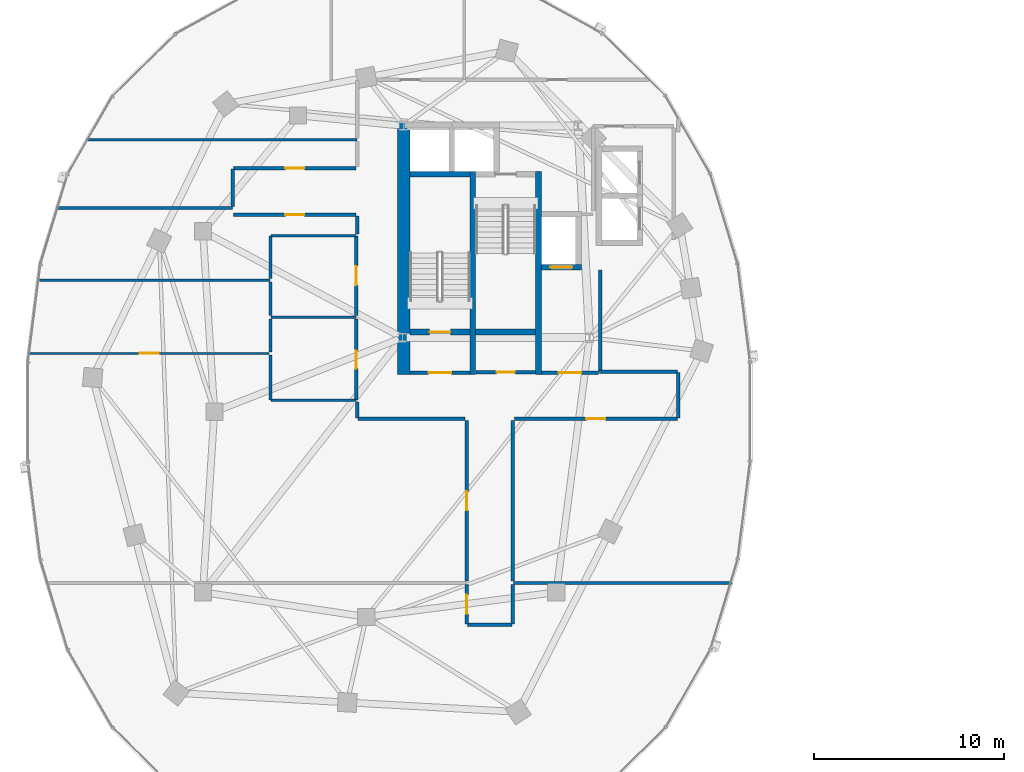
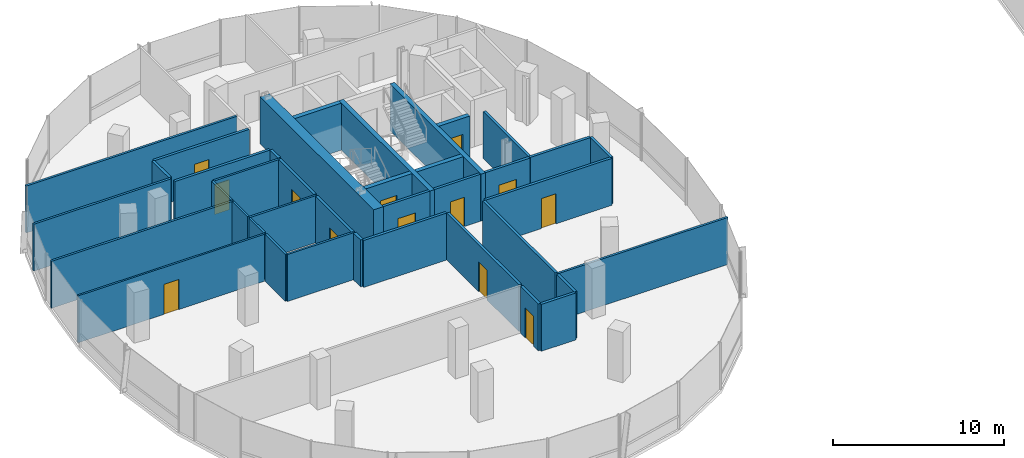
# One storey, part 12 of 22: 39 walls, 13 doors, 13 openings.
"""IFC4 building model written with IfcOpenShell, lengths in metres."""

import ifcopenshell
import ifcopenshell.guid

model = None  # the IFC model being written
_history = None  # IfcOwnerHistory: only IFC2X3 demands one
_inside = {}  # id of a spatial element -> (the spatial element, [elements in it])
_under = {}  # id of a project, library or spatial element -> (it, [spatial elements below it])
_declared = {}  # id of a project -> (the project, [libraries it declares])
_typed = {}  # id of a type object -> (the type object, [elements of that type])
_made_of = {}  # id of a material, layer set ... -> (it, [elements and type objects made of it])


def new_model(schema):
    """Start an empty IFC model of exactly this schema.

    Asked for "IFC4X3", IfcOpenShell would pick the latest addendum, in which some entities
    have other attributes; the version numbers below select the first issue.
    IFC2X3 requires an IfcOwnerHistory on every rooted entity: one is made here for all.
    """
    global model, _history
    if schema == "IFC4X3":
        model = ifcopenshell.file(schema_version=(4, 3, 0, 0))
    else:
        model = ifcopenshell.file(schema=schema)
    _inside.clear()
    _under.clear()
    _declared.clear()
    _typed.clear()
    _made_of.clear()
    _history = None
    if model.schema == "IFC2X3":
        org = make("IfcOrganization", Name="unknown")
        user = make(
            "IfcPersonAndOrganization",
            ThePerson=make("IfcPerson", FamilyName="unknown"),
            TheOrganization=org,
        )
        app = make(
            "IfcApplication",
            ApplicationDeveloper=org,
            Version="unknown",
            ApplicationFullName="unknown",
            ApplicationIdentifier="unknown",
        )
        _history = make(
            "IfcOwnerHistory",
            OwningUser=user,
            OwningApplication=app,
            ChangeAction="ADDED",
            CreationDate=0,
        )
    return model


def make(cls, **values):
    """One entity of the class cls with the attributes given. An attribute that is None is left unset."""
    return model.create_entity(
        cls, **{name: value for name, value in values.items() if value is not None}
    )


def rooted(cls, **values):
    """An entity with a GlobalId (a new one), such as an element, a storey or a relation."""
    return make(cls, GlobalId=ifcopenshell.guid.new(), OwnerHistory=_history, **values)


def si_unit(unit_type, name, prefix=None):
    """IfcSIUnit, for example si_unit("LENGTHUNIT", "METRE", prefix="MILLI")."""
    return make("IfcSIUnit", UnitType=unit_type, Prefix=prefix, Name=name)


def assignment(units):
    """IfcUnitAssignment: the units of a project."""
    return None if units is None else make("IfcUnitAssignment", Units=units)


def point(xyz):
    """IfcCartesianPoint."""
    return None if xyz is None else make("IfcCartesianPoint", Coordinates=xyz)


def direction(xyz):
    """IfcDirection."""
    return None if xyz is None else make("IfcDirection", DirectionRatios=xyz)


def frame(location, z_axis=None, x_axis=None):
    """IfcAxis2Placement3D, a coordinate frame: its origin and axes. An axis left out is left unset."""
    return make(
        "IfcAxis2Placement3D",
        Location=point(location),
        Axis=direction(z_axis),
        RefDirection=direction(x_axis),
    )


def frame_2d(location, x_axis=None):
    """IfcAxis2Placement2D, a coordinate frame in the plane: its origin and x axis."""
    return make(
        "IfcAxis2Placement2D", Location=point(location), RefDirection=direction(x_axis)
    )


def origin():
    """The frame at (0, 0, 0) with its axes left unset."""
    return frame((0.0, 0.0, 0.0))


def place(relative_to, where):
    """IfcLocalPlacement: puts the frame where relative to a parent placement (None: the world)."""
    return make(
        "IfcLocalPlacement", PlacementRelTo=relative_to, RelativePlacement=where
    )


def context(
    kind, dimensions, precision=None, world=None, true_north=None, identifier=None
):
    """IfcGeometricRepresentationContext, for example the 3D "Model" context."""
    return make(
        "IfcGeometricRepresentationContext",
        ContextIdentifier=identifier,
        ContextType=kind,
        CoordinateSpaceDimension=dimensions,
        Precision=precision,
        WorldCoordinateSystem=world,
        TrueNorth=true_north,
    )


def subcontext(parent, identifier, kind, view, scale=None):
    """IfcGeometricRepresentationSubContext, for example "Body" below "Model"."""
    return make(
        "IfcGeometricRepresentationSubContext",
        ContextIdentifier=identifier,
        ContextType=kind,
        ParentContext=parent,
        TargetScale=scale,
        TargetView=view,
    )


def project(units=None, contexts=None):
    """IfcProject with its units and contexts."""
    return rooted(
        "IfcProject",
        Name="project",
        RepresentationContexts=contexts,
        UnitsInContext=assignment(units),
    )


def spatial(cls, under=None, at=None, **own):
    """A site, building, storey or space (cls), placed at a placement, below another one or the project."""
    s = rooted(cls, ObjectPlacement=at, **own)
    if under is not None:
        _under.setdefault(under.id(), (under, []))[1].append(s)
    return s


def profile(cls, at=None, kind="AREA", **sizes):
    """A parametric profile (cls). Its sizes go by their IFC names, for example OverallWidth=200.0."""
    return make(cls, ProfileType=kind, Position=at, **sizes)


def rectangle(**sizes):
    """IfcRectangleProfileDef."""
    return profile("IfcRectangleProfileDef", **sizes)


def extrude(swept, where, along, depth):
    """IfcExtrudedAreaSolid: the profile swept, set in the frame where, extruded along a direction by depth."""
    return make(
        "IfcExtrudedAreaSolid",
        SweptArea=swept,
        Position=where,
        ExtrudedDirection=direction(along),
        Depth=depth,
    )


def shape(context_of_items, identifier, shape_type, items):
    """IfcShapeRepresentation: the items that make up one representation, for example the "Body"."""
    return make(
        "IfcShapeRepresentation",
        ContextOfItems=context_of_items,
        RepresentationIdentifier=identifier,
        RepresentationType=shape_type,
        Items=items,
    )


def material(Name=None, Category=None):
    """IfcMaterial."""
    return make("IfcMaterial", Name=Name, Category=Category)


def layer(
    of_material, thickness, ventilated=None, Name=None, Category=None, Priority=None
):
    """IfcMaterialLayer: one layer of a wall or slab, of a material (None: an air gap)."""
    return make(
        "IfcMaterialLayer",
        Material=of_material,
        LayerThickness=thickness,
        IsVentilated=ventilated,
        Name=Name,
        Category=Category,
        Priority=Priority,
    )


def layer_set(layers, Name=None):
    """IfcMaterialLayerSet."""
    return make("IfcMaterialLayerSet", MaterialLayers=layers, LayerSetName=Name)


def made_of(thing, what):
    """Note that an element or type object is made of a material, layer set ...; save() writes the relation."""
    if what is not None:
        _made_of.setdefault(what.id(), (what, []))[1].append(thing)
    return thing


def type_object(cls, material=None, **own):
    """A type object (cls), such as IfcWallType, which elements share."""
    return made_of(rooted(cls, **own), material)


def element(
    cls,
    number,
    at=None,
    inside=None,
    cuts=None,
    type_object=None,
    material=None,
    context=None,
    identifier="Body",
    shape_type=None,
    held_by="IfcProductDefinitionShape",
    body=None,
    shapes=None,
    **own,
):
    """One element of the class cls, such as IfcWall. Its Tag is "e" and its number.

    at: its placement. inside: the storey or other place that contains it. cuts: it is an
    opening in that element (IfcRelVoidsElement). A single representation is given by context,
    identifier, shape_type and body (its items); several are given by shapes. held_by: the class
    of the entity that holds the representations. save() writes the other relations.
    """
    e = rooted(cls, Tag="e%d" % number, ObjectPlacement=at, **own)
    if body is not None:
        shapes = [shape(context, identifier, shape_type, body)]
    if shapes is not None:
        e.Representation = make(held_by, Representations=shapes)
    if inside is not None:
        _inside.setdefault(inside.id(), (inside, []))[1].append(e)
    if cuts is not None:
        rooted(
            "IfcRelVoidsElement", RelatingBuildingElement=cuts, RelatedOpeningElement=e
        )
    if type_object is not None:
        _typed.setdefault(type_object.id(), (type_object, []))[1].append(e)
    return made_of(e, material)


def fill(opening, filler):
    """IfcRelFillsElement: the door or window that sits in an opening."""
    return rooted(
        "IfcRelFillsElement",
        RelatingOpeningElement=opening,
        RelatedBuildingElement=filler,
    )


def aggregate(whole, parts):
    """IfcRelAggregates: a whole, such as a stair, and the parts it consists of."""
    return rooted("IfcRelAggregates", RelatingObject=whole, RelatedObjects=parts)


def save(model, path):
    """Write the relations noted so far, then the file.

    IfcRelAggregates (storeys below a building ...), IfcRelContainedInSpatialStructure (elements
    in a storey), IfcRelDefinesByType, IfcRelAssociatesMaterial and IfcRelDeclares: one each for
    every whole, place, type object, material and project.
    """
    for whole, parts in _under.values():
        aggregate(whole, parts)
    for where, things in _inside.values():
        rooted(
            "IfcRelContainedInSpatialStructure",
            RelatedElements=things,
            RelatingStructure=where,
        )
    for kind, things in _typed.values():
        rooted("IfcRelDefinesByType", RelatedObjects=things, RelatingType=kind)
    for what, things in _made_of.values():
        rooted("IfcRelAssociatesMaterial", RelatedObjects=things, RelatingMaterial=what)
    for by, libraries in _declared.values():
        rooted("IfcRelDeclares", RelatingContext=by, RelatedDefinitions=libraries)
    model.write(path)


model = new_model("IFC4")

# Units and contexts
model_context = context("Model", 3, precision=1e-05, world=origin(), true_north=direction((0.0, 1.0)))
body_context = subcontext(model_context, "Body", "Model", "MODEL_VIEW")
ifc_project = project(units=[si_unit("LENGTHUNIT", "METRE"), si_unit("AREAUNIT", "SQUARE_METRE"), si_unit("VOLUMEUNIT", "CUBIC_METRE"), si_unit("PLANEANGLEUNIT", "RADIAN"), si_unit("MASSUNIT", "GRAM", prefix="KILO"), si_unit("THERMODYNAMICTEMPERATUREUNIT", "KELVIN"), si_unit("POWERUNIT", "WATT")], contexts=[model_context])

# Site, building, storey
site_placement = place(None, origin())
site = spatial("IfcSite", under=ifc_project, at=site_placement, CompositionType="ELEMENT")
building_placement = place(site_placement, origin())
building = spatial("IfcBuilding", under=site, at=building_placement, Name="Cundina Bronze Exchange", CompositionType="ELEMENT")
storey_placement = place(building_placement, frame((0.0, 0.0, 151.199951171875)))
storey = spatial("IfcBuildingStorey", under=building, at=storey_placement, Name="L39", CompositionType="ELEMENT", Elevation=151.199951171875)

# Wall
ifc_material_1 = material(Name="Gypsum Fireboard Partition EI120")
ifc_layer_1 = layer(ifc_material_1, 0.179931640625, Name="Gypsum Fireboard Partition EI120")
ifc_layer_set_1 = layer_set([ifc_layer_1], Name="Gypsum Fireboard Partition EI120")
wall_type_1 = type_object("IfcWallType", Name="WL-COR-180", PredefinedType="PARTITIONING", material=ifc_layer_set_1)
wall_1_placement = place(storey_placement, frame((-20.889892578125, 2.14990234375, 0.0), z_axis=(0.0, 0.0, 1.0), x_axis=(0.0, 1.0, 0.0)))
element("IfcWall", 1, at=wall_1_placement, inside=storey, type_object=wall_type_1, Name="L39 W Firefighting Lobby Side Wall", PredefinedType="PARTITIONING", context=body_context, shape_type="SweptSolid", body=[
    extrude(rectangle(XDim=5.300048828125, YDim=0.179931640625, at=frame_2d((2.64990234375, 0.0))), origin(), (0.0, 0.0, 1.0), 3.360107421875),
])

# Wall, opening, door
wall_2_placement = place(storey_placement, frame((-23.97998046875, 2.06005859375, 0.0), z_axis=(0.0, 0.0, 1.0), x_axis=(1.0, 0.0, 0.0)))
wall_2 = element("IfcWall", 2, at=wall_2_placement, inside=storey, type_object=wall_type_1, Name="L39 W Firefighting Lobby Exit Wall", PredefinedType="PARTITIONING", context=body_context, shape_type="SweptSolid", body=[
    extrude(rectangle(XDim=3.0, YDim=0.179931640625, at=frame_2d((1.5, 0.0))), origin(), (0.0, 0.0, 1.0), 3.360107421875),
])
opening_1_placement = place(wall_2_placement, frame((0.89990234375, 0.0, 0.0)))
opening_1 = element("IfcOpeningElement", 3, at=opening_1_placement, cuts=wall_2, Name="Opening DF-01", PredefinedType="OPENING", context=body_context, shape_type="SweptSolid", body=[
    extrude(rectangle(XDim=1.199951171875, YDim=2.14990234375, at=frame_2d((0.60009765625, 1.074951171875))), frame((0.0, 0.099853515625, 0.0), z_axis=(0.0, -1.0, 0.0), x_axis=(1.0, 0.0, 0.0)), (0.0, 0.0, 1.0), 0.199951171875),
])
ifc_material_2 = material(Name="Steel ASTM A36 Painted", Category="steel")
door_type_1 = type_object("IfcDoorType", Name="DR-FFL-1200", OperationType="NOTDEFINED", PredefinedType="DOOR", material=ifc_material_2)
door_1_placement = place(opening_1_placement, origin())
door_1 = element("IfcDoor", 4, at=door_1_placement, inside=storey, type_object=door_type_1, Name="L39 W Firefighting Lobby Door", OperationType="SINGLE_SWING_RIGHT", OverallHeight=2.14990234375, OverallWidth=1.199951171875, PredefinedType="DOOR", context=body_context, shape_type="SweptSolid", body=[
    extrude(rectangle(XDim=1.199951171875, YDim=2.14990234375, at=frame_2d((0.60009765625, 1.074951171875))), frame((0.0, 0.02490234375, 0.0), z_axis=(0.0, -1.0, 0.0), x_axis=(1.0, 0.0, 0.0)), (0.0, 0.0, 1.0), 0.050048828125),
])
fill(opening_1, door_1)

wall_3_placement = place(storey_placement, frame((-30.89990234375, 2.06005859375, 0.0), z_axis=(0.0, 0.0, 1.0), x_axis=(1.0, 0.0, 0.0)))
wall_3 = element("IfcWall", 5, at=wall_3_placement, inside=storey, type_object=wall_type_1, Name="L39 W Stair Vestibule Exit Wall", PredefinedType="PARTITIONING", context=body_context, shape_type="SweptSolid", body=[
    extrude(rectangle(XDim=3.159912109375, YDim=0.179931640625, at=frame_2d((1.580078125, 0.0))), origin(), (0.0, 0.0, 1.0), 3.360107421875),
])
opening_2_placement = place(wall_3_placement, frame((0.97998046875, 0.0, 0.0)))
opening_2 = element("IfcOpeningElement", 6, at=opening_2_placement, cuts=wall_3, Name="Opening DF-01", PredefinedType="OPENING", context=body_context, shape_type="SweptSolid", body=[
    extrude(rectangle(XDim=1.199951171875, YDim=2.14990234375, at=frame_2d((0.60009765625, 1.074951171875))), frame((0.0, 0.099853515625, 0.0), z_axis=(0.0, -1.0, 0.0), x_axis=(1.0, 0.0, 0.0)), (0.0, 0.0, 1.0), 0.199951171875),
])
door_2_placement = place(opening_2_placement, origin())
door_2 = element("IfcDoor", 7, at=door_2_placement, inside=storey, type_object=door_type_1, Name="L39 W Stair Vestibule Door", OperationType="SINGLE_SWING_LEFT", OverallHeight=2.14990234375, OverallWidth=1.199951171875, PredefinedType="DOOR", context=body_context, shape_type="SweptSolid", body=[
    extrude(rectangle(XDim=1.199951171875, YDim=2.14990234375, at=frame_2d((0.60009765625, 1.074951171875))), frame((0.0, 0.02490234375, 0.0), z_axis=(0.0, -1.0, 0.0), x_axis=(1.0, 0.0, 0.0)), (0.0, 0.0, 1.0), 0.050048828125),
])
fill(opening_2, door_2)

wall_4_placement = place(storey_placement, frame((-27.419921875, 2.070068359375, 0.0), z_axis=(0.0, 0.0, 1.0), x_axis=(1.0, 0.0, 0.0)))
wall_4 = element("IfcWall", 8, at=wall_4_placement, inside=storey, type_object=wall_type_1, Name="L39 Interior Partition 006", PredefinedType="PARTITIONING", context=body_context, shape_type="SweptSolid", body=[
    extrude(rectangle(XDim=3.119873046875, YDim=0.179931640625, at=frame_2d((1.56005859375, 0.0))), origin(), (0.0, 0.0, 1.0), 3.360107421875),
])
opening_3_placement = place(wall_4_placement, frame((1.0849609375, 0.0, 0.0)))
opening_3 = element("IfcOpeningElement", 9, at=opening_3_placement, cuts=wall_4, Name="Opening DW-01", PredefinedType="OPENING", context=body_context, shape_type="SweptSolid", body=[
    extrude(rectangle(XDim=0.949951171875, YDim=2.10009765625, at=frame_2d((0.47509765625, 1.050048828125))), frame((0.0, 0.099853515625, 0.0), z_axis=(0.0, -1.0, 0.0), x_axis=(1.0, 0.0, 0.0)), (0.0, 0.0, 1.0), 0.199951171875),
])
ifc_material_3 = material(Name="Solid Andean Oak Timber Grade A", Category="wood")
door_type_2 = type_object("IfcDoorType", Name="DR-WC-950", OperationType="NOTDEFINED", PredefinedType="DOOR", material=ifc_material_3)
door_3_placement = place(opening_3_placement, origin())
door_3 = element("IfcDoor", 10, at=door_3_placement, inside=storey, type_object=door_type_2, Name="L39 Interior Door 006", OperationType="SINGLE_SWING_RIGHT", OverallHeight=2.10009765625, OverallWidth=0.949951171875, PredefinedType="DOOR", context=body_context, shape_type="SweptSolid", body=[
    extrude(rectangle(XDim=0.949951171875, YDim=2.10009765625, at=frame_2d((0.47509765625, 1.050048828125))), frame((0.0, 0.02490234375, 0.0), z_axis=(0.0, -1.0, 0.0), x_axis=(1.0, 0.0, 0.0)), (0.0, 0.0, 1.0), 0.050048828125),
])
fill(opening_3, door_3)

wall_5_placement = place(storey_placement, frame((-33.719970703125, 0.6201171875, 0.0), z_axis=(0.0, 0.0, 1.0), x_axis=(0.0, 1.0, 0.0)))
wall_5 = element("IfcWall", 11, at=wall_5_placement, inside=storey, type_object=wall_type_1, Name="L39 Interior Partition 014", PredefinedType="PARTITIONING", context=body_context, shape_type="SweptSolid", body=[
    extrude(rectangle(XDim=4.259765625, YDim=0.179931640625, at=frame_2d((2.1298828125, 0.0))), origin(), (0.0, 0.0, 1.0), 3.360107421875),
])
opening_4_placement = place(wall_5_placement, frame((1.655029296875, 0.0, 0.0)))
opening_4 = element("IfcOpeningElement", 12, at=opening_4_placement, cuts=wall_5, Name="Opening DW-01", PredefinedType="OPENING", context=body_context, shape_type="SweptSolid", body=[
    extrude(rectangle(XDim=0.949951171875, YDim=2.10009765625, at=frame_2d((0.47509765625, 1.050048828125))), frame((0.0, 0.099853515625, 0.0), z_axis=(0.0, -1.0, 0.0), x_axis=(1.0, 0.0, 0.0)), (0.0, 0.0, 1.0), 0.199951171875),
])
door_4_placement = place(opening_4_placement, origin())
door_4 = element("IfcDoor", 13, at=door_4_placement, inside=storey, type_object=door_type_2, Name="L39 Interior Door 014", OperationType="SINGLE_SWING_RIGHT", OverallHeight=2.10009765625, OverallWidth=0.949951171875, PredefinedType="DOOR", context=body_context, shape_type="SweptSolid", body=[
    extrude(rectangle(XDim=0.949951171875, YDim=2.10009765625, at=frame_2d((0.47509765625, 1.050048828125))), frame((0.0, 0.02490234375, 0.0), z_axis=(0.0, -1.0, 0.0), x_axis=(1.0, 0.0, 0.0)), (0.0, 0.0, 1.0), 0.050048828125),
])
fill(opening_4, door_4)

wall_6_placement = place(storey_placement, frame((-33.719970703125, 5.080078125, 0.0), z_axis=(0.0, 0.0, 1.0), x_axis=(0.0, 1.0, 0.0)))
wall_6 = element("IfcWall", 14, at=wall_6_placement, inside=storey, type_object=wall_type_1, Name="L39 Interior Partition 015", PredefinedType="PARTITIONING", context=body_context, shape_type="SweptSolid", body=[
    extrude(rectangle(XDim=4.159912109375, YDim=0.179931640625, at=frame_2d((2.080078125, 0.0))), origin(), (0.0, 0.0, 1.0), 3.360107421875),
])
opening_5_placement = place(wall_6_placement, frame((1.580078125, 0.0, 0.0)))
opening_5 = element("IfcOpeningElement", 15, at=opening_5_placement, cuts=wall_6, Name="Opening DO-01", PredefinedType="OPENING", context=body_context, shape_type="SweptSolid", body=[
    extrude(rectangle(XDim=1.0, YDim=2.14990234375, at=frame_2d((0.5, 1.074951171875))), frame((0.0, 0.099853515625, 0.0), z_axis=(0.0, -1.0, 0.0), x_axis=(1.0, 0.0, 0.0)), (0.0, 0.0, 1.0), 0.199951171875),
])
door_type_3 = type_object("IfcDoorType", Name="DR-OFF-1000", OperationType="NOTDEFINED", PredefinedType="DOOR", material=ifc_material_3)
door_5_placement = place(opening_5_placement, origin())
door_5 = element("IfcDoor", 16, at=door_5_placement, inside=storey, type_object=door_type_3, Name="L39 Interior Door 015", OperationType="SINGLE_SWING_RIGHT", OverallHeight=2.14990234375, OverallWidth=1.0, PredefinedType="DOOR", context=body_context, shape_type="SweptSolid", body=[
    extrude(rectangle(XDim=1.0, YDim=2.14990234375, at=frame_2d((0.5, 1.074951171875))), frame((0.0, 0.02490234375, 0.0), z_axis=(0.0, -1.0, 0.0), x_axis=(1.0, 0.0, 0.0)), (0.0, 0.0, 1.0), 0.050048828125),
])
fill(opening_5, door_5)

# Wall
wall_7_placement = place(storey_placement, frame((-27.87841796875, -11.219970703125, 0.0), z_axis=(0.0, 0.0, 1.0), x_axis=(1.0, 0.0, 0.0)))
element("IfcWall", 17, at=wall_7_placement, inside=storey, type_object=wall_type_1, Name="L39 Interior Partition 023", PredefinedType="PARTITIONING", context=body_context, shape_type="SweptSolid", body=[
    extrude(rectangle(XDim=2.35693359375, YDim=0.179931640625, at=frame_2d((1.178466796875, 0.0))), origin(), (0.0, 0.0, 1.0), 3.360107421875),
])

# Wall, opening, door
wall_8_placement = place(storey_placement, frame((-27.919921875, -9.10009765625, 0.0), z_axis=(0.0, 0.0, 1.0), x_axis=(0.0, -1.0, 0.0)))
wall_8 = element("IfcWall", 18, at=wall_8_placement, inside=storey, type_object=wall_type_1, Name="L39 Interior Partition 024", PredefinedType="PARTITIONING", context=body_context, shape_type="SweptSolid", body=[
    extrude(rectangle(XDim=2.078369140625, YDim=0.179931640625, at=frame_2d((1.0390625, 0.0))), origin(), (0.0, 0.0, 1.0), 3.360107421875),
])
opening_6_placement = place(wall_8_placement, frame((0.539306640625, 0.0, 0.0)))
opening_6 = element("IfcOpeningElement", 19, at=opening_6_placement, cuts=wall_8, Name="Opening DO-01", PredefinedType="OPENING", context=body_context, shape_type="SweptSolid", body=[
    extrude(rectangle(XDim=1.0, YDim=2.14990234375, at=frame_2d((0.5, 1.074951171875))), frame((0.0, 0.099853515625, 0.0), z_axis=(0.0, -1.0, 0.0), x_axis=(1.0, 0.0, 0.0)), (0.0, 0.0, 1.0), 0.199951171875),
])
door_6_placement = place(opening_6_placement, origin())
door_6 = element("IfcDoor", 20, at=door_6_placement, inside=storey, type_object=door_type_3, Name="L39 Interior Door 024", OperationType="SINGLE_SWING_RIGHT", OverallHeight=2.14990234375, OverallWidth=1.0, PredefinedType="DOOR", context=body_context, shape_type="SweptSolid", body=[
    extrude(rectangle(XDim=1.0, YDim=2.14990234375, at=frame_2d((0.5, 1.074951171875))), frame((0.0, 0.02490234375, 0.0), z_axis=(0.0, -1.0, 0.0), x_axis=(1.0, 0.0, 0.0)), (0.0, 0.0, 1.0), 0.050048828125),
])
fill(opening_6, door_6)

# Wall
wall_9_placement = place(storey_placement, frame((-25.47998046875, -11.178466796875, 0.0), z_axis=(0.0, 0.0, 1.0), x_axis=(0.0, 1.0, 0.0)))
element("IfcWall", 21, at=wall_9_placement, inside=storey, type_object=wall_type_1, Name="L39 Interior Partition 025", PredefinedType="PARTITIONING", context=body_context, shape_type="SweptSolid", body=[
    extrude(rectangle(XDim=2.078369140625, YDim=0.179931640625, at=frame_2d((1.0390625, 0.0))), origin(), (0.0, 0.0, 1.0), 3.360107421875),
])

# Wall, opening, door
wall_10_placement = place(storey_placement, frame((-27.919921875, -0.449951171875, 0.0), z_axis=(0.0, 0.0, 1.0), x_axis=(0.0, -1.0, 0.0)))
wall_10 = element("IfcWall", 22, at=wall_10_placement, inside=storey, type_object=wall_type_1, Name="L39 Interior Partition 026", PredefinedType="PARTITIONING", context=body_context, shape_type="SweptSolid", body=[
    extrude(rectangle(XDim=8.469970703125, YDim=0.179931640625, at=frame_2d((4.23486328125, 0.0))), origin(), (0.0, 0.0, 1.0), 3.360107421875),
])
opening_7_placement = place(wall_10_placement, frame((3.735107421875, 0.0, 0.0)))
opening_7 = element("IfcOpeningElement", 23, at=opening_7_placement, cuts=wall_10, Name="Opening DO-01", PredefinedType="OPENING", context=body_context, shape_type="SweptSolid", body=[
    extrude(rectangle(XDim=1.0, YDim=2.14990234375, at=frame_2d((0.5, 1.074951171875))), frame((0.0, 0.099853515625, 0.0), z_axis=(0.0, -1.0, 0.0), x_axis=(1.0, 0.0, 0.0)), (0.0, 0.0, 1.0), 0.199951171875),
])
door_7_placement = place(opening_7_placement, origin())
door_7 = element("IfcDoor", 24, at=door_7_placement, inside=storey, type_object=door_type_3, Name="L39 Interior Door 026", OperationType="SINGLE_SWING_RIGHT", OverallHeight=2.14990234375, OverallWidth=1.0, PredefinedType="DOOR", context=body_context, shape_type="SweptSolid", body=[
    extrude(rectangle(XDim=1.0, YDim=2.14990234375, at=frame_2d((0.5, 1.074951171875))), frame((0.0, 0.02490234375, 0.0), z_axis=(0.0, -1.0, 0.0), x_axis=(1.0, 0.0, 0.0)), (0.0, 0.0, 1.0), 0.050048828125),
])
fill(opening_7, door_7)

# Walls
wall_11_placement = place(storey_placement, frame((-33.62841796875, -0.3701171875, 0.0), z_axis=(0.0, 0.0, 1.0), x_axis=(1.0, 0.0, 0.0)))
element("IfcWall", 25, at=wall_11_placement, inside=storey, type_object=wall_type_1, Name="L39 Interior Partition 027", PredefinedType="PARTITIONING", context=body_context, shape_type="SweptSolid", body=[
    extrude(rectangle(XDim=5.62841796875, YDim=0.179931640625, at=frame_2d((2.814208984375, 0.0))), origin(), (0.0, 0.0, 1.0), 3.360107421875),
])
wall_12_placement = place(storey_placement, frame((-33.669921875, 0.508544921875, 0.0), z_axis=(0.0, 0.0, 1.0), x_axis=(0.0, -1.0, 0.0)))
element("IfcWall", 26, at=wall_12_placement, inside=storey, type_object=wall_type_1, Name="L39 Interior Partition 028", PredefinedType="PARTITIONING", context=body_context, shape_type="SweptSolid", body=[
    extrude(rectangle(XDim=0.837158203125, YDim=0.179931640625, at=frame_2d((0.41845703125, 0.0))), origin(), (0.0, 0.0, 1.0), 3.360107421875),
])

# Wall, opening, door
wall_13_placement = place(storey_placement, frame((-25.39990234375, -0.3701171875, 0.0), z_axis=(0.0, 0.0, 1.0), x_axis=(1.0, 0.0, 0.0)))
wall_13 = element("IfcWall", 27, at=wall_13_placement, inside=storey, type_object=wall_type_1, Name="L39 Interior Partition 029", PredefinedType="PARTITIONING", context=body_context, shape_type="SweptSolid", body=[
    extrude(rectangle(XDim=8.578369140625, YDim=0.179931640625, at=frame_2d((4.2890625, 0.0))), origin(), (0.0, 0.0, 1.0), 3.360107421875),
])
opening_8_placement = place(wall_13_placement, frame((3.789306640625, 0.0, 0.0)))
opening_8 = element("IfcOpeningElement", 28, at=opening_8_placement, cuts=wall_13, Name="Opening DO-01", PredefinedType="OPENING", context=body_context, shape_type="SweptSolid", body=[
    extrude(rectangle(XDim=1.0, YDim=2.14990234375, at=frame_2d((0.5, 1.074951171875))), frame((0.0, 0.099853515625, 0.0), z_axis=(0.0, -1.0, 0.0), x_axis=(1.0, 0.0, 0.0)), (0.0, 0.0, 1.0), 0.199951171875),
])
door_8_placement = place(opening_8_placement, origin())
door_8 = element("IfcDoor", 29, at=door_8_placement, inside=storey, type_object=door_type_3, Name="L39 Interior Door 029", OperationType="SINGLE_SWING_RIGHT", OverallHeight=2.14990234375, OverallWidth=1.0, PredefinedType="DOOR", context=body_context, shape_type="SweptSolid", body=[
    extrude(rectangle(XDim=1.0, YDim=2.14990234375, at=frame_2d((0.5, 1.074951171875))), frame((0.0, 0.02490234375, 0.0), z_axis=(0.0, -1.0, 0.0), x_axis=(1.0, 0.0, 0.0)), (0.0, 0.0, 1.0), 0.050048828125),
])
fill(opening_8, door_8)

# Walls
wall_14_placement = place(storey_placement, frame((-25.47998046875, -8.919921875, 0.0), z_axis=(0.0, 0.0, 1.0), x_axis=(0.0, 1.0, 0.0)))
element("IfcWall", 30, at=wall_14_placement, inside=storey, type_object=wall_type_1, Name="L39 Interior Partition 030", PredefinedType="PARTITIONING", context=body_context, shape_type="SweptSolid", body=[
    extrude(rectangle(XDim=8.469970703125, YDim=0.179931640625, at=frame_2d((4.23486328125, 0.0))), origin(), (0.0, 0.0, 1.0), 3.360107421875),
])
wall_15_placement = place(storey_placement, frame((-16.821533203125, 2.10009765625, 0.0), z_axis=(0.0, 0.0, 1.0), x_axis=(-1.0, 0.0, 0.0)))
element("IfcWall", 31, at=wall_15_placement, inside=storey, type_object=wall_type_1, Name="L39 Interior Partition 031", PredefinedType="PARTITIONING", context=body_context, shape_type="SweptSolid", body=[
    extrude(rectangle(XDim=4.098388671875, YDim=0.179931640625, at=frame_2d((2.04931640625, 0.0))), origin(), (0.0, 0.0, 1.0), 3.360107421875),
])
wall_16_placement = place(storey_placement, frame((-16.780029296875, -0.32861328125, 0.0), z_axis=(0.0, 0.0, 1.0), x_axis=(0.0, 1.0, 0.0)))
element("IfcWall", 32, at=wall_16_placement, inside=storey, type_object=wall_type_1, Name="L39 Interior Partition 032", PredefinedType="PARTITIONING", context=body_context, shape_type="SweptSolid", body=[
    extrude(rectangle(XDim=2.38720703125, YDim=0.179931640625, at=frame_2d((1.193603515625, 0.0))), origin(), (0.0, 0.0, 1.0), 3.360107421875),
])

# Wall, opening, door
wall_17_placement = place(storey_placement, frame((-40.178466796875, 10.3798828125, 0.0), z_axis=(0.0, 0.0, 1.0), x_axis=(1.0, 0.0, 0.0)))
wall_17 = element("IfcWall", 33, at=wall_17_placement, inside=storey, type_object=wall_type_1, Name="L39 Interior Partition 034", PredefinedType="PARTITIONING", context=body_context, shape_type="SweptSolid", body=[
    extrude(rectangle(XDim=6.428466796875, YDim=0.179931640625, at=frame_2d((3.21435546875, 0.0))), origin(), (0.0, 0.0, 1.0), 3.360107421875),
])
opening_9_placement = place(wall_17_placement, frame((2.714111328125, 0.0, 0.0)))
opening_9 = element("IfcOpeningElement", 34, at=opening_9_placement, cuts=wall_17, Name="Opening DO-01", PredefinedType="OPENING", context=body_context, shape_type="SweptSolid", body=[
    extrude(rectangle(XDim=1.0, YDim=2.14990234375, at=frame_2d((0.5, 1.074951171875))), frame((0.0, 0.099853515625, 0.0), z_axis=(0.0, -1.0, 0.0), x_axis=(1.0, 0.0, 0.0)), (0.0, 0.0, 1.0), 0.199951171875),
])
door_9_placement = place(opening_9_placement, origin())
door_9 = element("IfcDoor", 35, at=door_9_placement, inside=storey, type_object=door_type_3, Name="L39 Interior Door 034", OperationType="SINGLE_SWING_RIGHT", OverallHeight=2.14990234375, OverallWidth=1.0, PredefinedType="DOOR", context=body_context, shape_type="SweptSolid", body=[
    extrude(rectangle(XDim=1.0, YDim=2.14990234375, at=frame_2d((0.5, 1.074951171875))), frame((0.0, 0.02490234375, 0.0), z_axis=(0.0, -1.0, 0.0), x_axis=(1.0, 0.0, 0.0)), (0.0, 0.0, 1.0), 0.050048828125),
])
fill(opening_9, door_9)

# Wall
wall_18_placement = place(storey_placement, frame((-33.669921875, 10.300048828125, 0.0), z_axis=(0.0, 0.0, 1.0), x_axis=(0.0, -1.0, 0.0)))
element("IfcWall", 36, at=wall_18_placement, inside=storey, type_object=wall_type_1, Name="L39 Interior Partition 035", PredefinedType="PARTITIONING", context=body_context, shape_type="SweptSolid", body=[
    extrude(rectangle(XDim=0.94873046875, YDim=0.179931640625, at=frame_2d((0.474365234375, 0.0))), origin(), (0.0, 0.0, 1.0), 3.360107421875),
])

# Wall, opening, door
wall_19_placement = place(storey_placement, frame((-33.75, 12.820068359375, 0.0), z_axis=(0.0, 0.0, 1.0), x_axis=(-1.0, 0.0, 0.0)))
wall_19 = element("IfcWall", 37, at=wall_19_placement, inside=storey, type_object=wall_type_1, Name="L39 Interior Partition 036", PredefinedType="PARTITIONING", context=body_context, shape_type="SweptSolid", body=[
    extrude(rectangle(XDim=6.428466796875, YDim=0.179931640625, at=frame_2d((3.21435546875, 0.0))), origin(), (0.0, 0.0, 1.0), 3.360107421875),
])
opening_10_placement = place(wall_19_placement, frame((2.714111328125, 0.0, 0.0)))
opening_10 = element("IfcOpeningElement", 38, at=opening_10_placement, cuts=wall_19, Name="Opening DO-01", PredefinedType="OPENING", context=body_context, shape_type="SweptSolid", body=[
    extrude(rectangle(XDim=1.0, YDim=2.14990234375, at=frame_2d((0.5, 1.074951171875))), frame((0.0, 0.099853515625, 0.0), z_axis=(0.0, -1.0, 0.0), x_axis=(1.0, 0.0, 0.0)), (0.0, 0.0, 1.0), 0.199951171875),
])
door_10_placement = place(opening_10_placement, origin())
door_10 = element("IfcDoor", 39, at=door_10_placement, inside=storey, type_object=door_type_3, Name="L39 Interior Door 036", OperationType="SINGLE_SWING_LEFT", OverallHeight=2.14990234375, OverallWidth=1.0, PredefinedType="DOOR", context=body_context, shape_type="SweptSolid", body=[
    extrude(rectangle(XDim=1.0, YDim=2.14990234375, at=frame_2d((0.5, 1.074951171875))), frame((0.0, 0.02490234375, 0.0), z_axis=(0.0, -1.0, 0.0), x_axis=(1.0, 0.0, 0.0)), (0.0, 0.0, 1.0), 0.050048828125),
])
fill(opening_10, door_10)

# Walls
wall_20_placement = place(storey_placement, frame((-40.219970703125, 12.778564453125, 0.0), z_axis=(0.0, 0.0, 1.0), x_axis=(0.0, -1.0, 0.0)))
element("IfcWall", 40, at=wall_20_placement, inside=storey, type_object=wall_type_1, Name="L39 Interior Partition 037", PredefinedType="PARTITIONING", context=body_context, shape_type="SweptSolid", body=[
    extrude(rectangle(XDim=1.968505859375, YDim=0.179931640625, at=frame_2d((0.984375, 0.0))), origin(), (0.0, 0.0, 1.0), 3.360107421875),
])
ifc_material_4 = material(Name="Concrete C50/60", Category="concrete")
ifc_layer_2 = layer(ifc_material_4, 0.64990234375, Name="Concrete C50/60", Category="concrete")
ifc_layer_set_2 = layer_set([ifc_layer_2], Name="Concrete C50/60")
wall_type_2 = type_object("IfcWallType", Name="WL-CORE-650", PredefinedType="SHEAR", material=ifc_layer_set_2)
wall_21_placement = place(storey_placement, frame((-31.22509765625, 1.969970703125, 0.0), z_axis=(0.0, 0.0, 1.0), x_axis=(0.0, 1.0, 0.0)))
element("IfcWall", 41, at=wall_21_placement, inside=storey, type_object=wall_type_2, Name="L39 W Primary Core Shear Spine Wall", PredefinedType="SHEAR", context=body_context, shape_type="SweptSolid", body=[
    extrude(rectangle(XDim=13.330078125, YDim=0.64990234375, at=frame_2d((6.6650390625, 0.0))), origin(), (0.0, 0.0, 1.0), 3.360107421875),
])

# Wall, opening, door
ifc_material_5 = material(Name="Gypsum Acoustic Partition EI60")
ifc_layer_3 = layer(ifc_material_5, 0.125, Name="Gypsum Acoustic Partition EI60")
ifc_layer_set_3 = layer_set([ifc_layer_3], Name="Gypsum Acoustic Partition EI60")
wall_type_3 = type_object("IfcWallType", Name="WL-OFF-125", PredefinedType="PARTITIONING", material=ifc_layer_set_3)
wall_22_placement = place(storey_placement, frame((-38.320068359375, 3.070068359375, 0.0), z_axis=(0.0, 0.0, 1.0), x_axis=(-1.0, 0.0, 0.0)))
wall_22 = element("IfcWall", 42, at=wall_22_placement, inside=storey, type_object=wall_type_3, Name="L39 Interior Partition 042", PredefinedType="PARTITIONING", context=body_context, shape_type="SweptSolid", body=[
    extrude(rectangle(XDim=12.63134765625, YDim=0.125, at=frame_2d((6.315673828125, 0.0))), origin(), (0.0, 0.0, 1.0), 3.360107421875),
])
opening_11_placement = place(wall_22_placement, frame((5.81591796875, 0.0, 0.0)))
opening_11 = element("IfcOpeningElement", 43, at=opening_11_placement, cuts=wall_22, Name="Opening DO-01", PredefinedType="OPENING", context=body_context, shape_type="SweptSolid", body=[
    extrude(rectangle(XDim=1.0, YDim=2.14990234375, at=frame_2d((0.5, 1.074951171875))), frame((0.0, 0.072509765625, 0.0), z_axis=(0.0, -1.0, 0.0), x_axis=(1.0, 0.0, 0.0)), (0.0, 0.0, 1.0), 0.14501953125),
])
door_11_placement = place(opening_11_placement, origin())
door_11 = element("IfcDoor", 44, at=door_11_placement, inside=storey, type_object=door_type_3, Name="L39 Interior Door 042", OperationType="SINGLE_SWING_LEFT", OverallHeight=2.14990234375, OverallWidth=1.0, PredefinedType="DOOR", context=body_context, shape_type="SweptSolid", body=[
    extrude(rectangle(XDim=1.0, YDim=2.14990234375, at=frame_2d((0.5, 1.074951171875))), frame((0.0, 0.02490234375, 0.0), z_axis=(0.0, -1.0, 0.0), x_axis=(1.0, 0.0, 0.0)), (0.0, 0.0, 1.0), 0.050048828125),
])
fill(opening_11, door_11)

# Walls
ifc_layer_4 = layer(ifc_material_4, 0.300048828125, Name="Concrete C50/60", Category="concrete")
ifc_layer_set_4 = layer_set([ifc_layer_4], Name="Concrete C50/60")
wall_type_4 = type_object("IfcWallType", Name="WL-SHFT-300", PredefinedType="SHEAR", material=ifc_layer_set_4)
for number, where, z_axis, x_axis, name in (
    (45, (-27.590087890625, 1.969970703125, 0.0), (0.0, 0.0, 1.0), (0.0, 1.0, 0.0), "L39 W Stair Shaft Dividing Shear Wall"),
    (46, (-24.1298828125, 1.969970703125, 0.0), (0.0, 0.0, 1.0), (0.0, 1.0, 0.0), "L39 W Stair 2 East Shear Wall"),
):
    element("IfcWall", number, at=place(storey_placement, frame(where, z_axis=z_axis, x_axis=x_axis)), inside=storey, type_object=wall_type_4, Name=name, PredefinedType="SHEAR", context=body_context, shape_type="SweptSolid", body=[
        extrude(rectangle(XDim=10.679931640625, YDim=0.300048828125, at=frame_2d((5.33984375, 0.0))), origin(), (0.0, 0.0, 1.0), 3.360107421875),
    ])

# Wall, opening, door
wall_23_placement = place(storey_placement, frame((-30.89990234375, 4.199951171875, 0.0), z_axis=(0.0, 0.0, 1.0), x_axis=(1.0, 0.0, 0.0)))
wall_23 = element("IfcWall", 47, at=wall_23_placement, inside=storey, type_object=wall_type_4, Name="L39 Stair W1 Landing Wall", PredefinedType="SHEAR", context=body_context, shape_type="SweptSolid", body=[
    extrude(rectangle(XDim=3.159912109375, YDim=0.300048828125, at=frame_2d((1.580078125, 0.0))), origin(), (0.0, 0.0, 1.0), 3.360107421875),
])
opening_12_placement = place(wall_23_placement, frame((1.030029296875, 0.0, 0.0)))
opening_12 = element("IfcOpeningElement", 48, at=opening_12_placement, cuts=wall_23, Name="Opening DS-01", PredefinedType="OPENING", context=body_context, shape_type="SweptSolid", body=[
    extrude(rectangle(XDim=1.10009765625, YDim=2.14990234375, at=frame_2d((0.550048828125, 1.074951171875))), frame((0.0, 0.159912109375, 0.0), z_axis=(0.0, -1.0, 0.0), x_axis=(1.0, 0.0, 0.0)), (0.0, 0.0, 1.0), 0.320068359375),
])
door_type_4 = type_object("IfcDoorType", Name="DR-STR-1100", OperationType="NOTDEFINED", PredefinedType="DOOR", material=ifc_material_2)
door_12_placement = place(opening_12_placement, origin())
door_12 = element("IfcDoor", 49, at=door_12_placement, inside=storey, type_object=door_type_4, Name="L39 Smokeproof Stair W1 Door", OperationType="SINGLE_SWING_RIGHT", OverallHeight=2.14990234375, OverallWidth=1.10009765625, PredefinedType="DOOR", context=body_context, shape_type="SweptSolid", body=[
    extrude(rectangle(XDim=1.10009765625, YDim=2.14990234375, at=frame_2d((0.550048828125, 1.074951171875))), frame((0.0, 0.02490234375, 0.0), z_axis=(0.0, -1.0, 0.0), x_axis=(1.0, 0.0, 0.0)), (0.0, 0.0, 1.0), 0.050048828125),
])
fill(opening_12, door_12)

# Walls
for number, where, z_axis, x_axis, name in (
    (50, (-30.89990234375, 12.5, 0.0), (0.0, 0.0, 1.0), (1.0, 0.0, 0.0), "L39 Stair W1 Far Shaft Wall"),
    (51, (-27.43994140625, 4.199951171875, 0.0), (0.0, 0.0, 1.0), (1.0, 0.0, 0.0), "L39 Stair W2 Far Shaft Wall"),
):
    element("IfcWall", number, at=place(storey_placement, frame(where, z_axis=z_axis, x_axis=x_axis)), inside=storey, type_object=wall_type_4, Name=name, PredefinedType="SHEAR", context=body_context, shape_type="SweptSolid", body=[
        extrude(rectangle(XDim=3.159912109375, YDim=0.300048828125, at=frame_2d((1.580078125, 0.0))), origin(), (0.0, 0.0, 1.0), 3.360107421875),
    ])

# Wall, opening, door
wall_24_placement = place(storey_placement, frame((-23.97998046875, 7.60009765625, 0.0), z_axis=(0.0, 0.0, 1.0), x_axis=(1.0, 0.0, 0.0)))
wall_24 = element("IfcWall", 52, at=wall_24_placement, inside=storey, type_object=wall_type_4, Name="L39 FFL-W Hoistway Front Wall", PredefinedType="SHEAR", context=body_context, shape_type="SweptSolid", body=[
    extrude(rectangle(XDim=2.10009765625, YDim=0.300048828125, at=frame_2d((1.050048828125, 0.0))), origin(), (0.0, 0.0, 1.0), 3.360107421875),
])
opening_13_placement = place(wall_24_placement, frame((0.47509765625, 0.0, 0.0)))
opening_13 = element("IfcOpeningElement", 53, at=opening_13_placement, cuts=wall_24, Name="Opening LD-01", PredefinedType="OPENING", context=body_context, shape_type="SweptSolid", body=[
    extrude(rectangle(XDim=1.14990234375, YDim=2.199951171875, at=frame_2d((0.574951171875, 1.10009765625))), frame((0.0, 0.159912109375, 0.0), z_axis=(0.0, -1.0, 0.0), x_axis=(1.0, 0.0, 0.0)), (0.0, 0.0, 1.0), 0.320068359375),
])
door_type_5 = type_object("IfcDoorType", Name="DR-LND-1150", OperationType="NOTDEFINED", PredefinedType="TRAPDOOR", material=ifc_material_2)
door_13_placement = place(opening_13_placement, origin())
door_13 = element("IfcDoor", 54, at=door_13_placement, inside=storey, type_object=door_type_5, Name="L39 FFL-W Sliding Landing Door", OperationType="SLIDING_TO_LEFT", OverallHeight=2.199951171875, OverallWidth=1.14990234375, PredefinedType="TRAPDOOR", context=body_context, shape_type="SweptSolid", body=[
    extrude(rectangle(XDim=1.14990234375, YDim=2.199951171875, at=frame_2d((0.574951171875, 1.10009765625))), frame((0.0, 0.02490234375, 0.0), z_axis=(0.0, -1.0, 0.0), x_axis=(1.0, 0.0, 0.0)), (0.0, 0.0, 1.0), 0.050048828125),
])
fill(opening_13, door_13)

# Walls
ifc_layer_5 = layer(ifc_material_5, 0.14990234375, Name="Gypsum Acoustic Partition EI60")
ifc_layer_set_5 = layer_set([ifc_layer_5], Name="Gypsum Acoustic Partition EI60")
wall_type_5 = type_object("IfcWallType", Name="WL-TEN-150", PredefinedType="PARTITIONING", material=ifc_layer_set_5)
wall_25_placement = place(storey_placement, frame((-25.449951171875, -9.010009765625, 0.0), z_axis=(0.0, 0.0, 1.0), x_axis=(1.0, 0.0, 0.0)))
element("IfcWall", 55, at=wall_25_placement, inside=storey, type_object=wall_type_5, Name="L39 Interior Partition 017", PredefinedType="PARTITIONING", context=body_context, shape_type="SweptSolid", body=[
    extrude(rectangle(XDim=11.495361328125, YDim=0.14990234375, at=frame_2d((5.74755859375, 0.0))), origin(), (0.0, 0.0, 1.0), 3.360107421875),
])
wall_26_placement = place(storey_placement, frame((-50.5263671875, 6.919921875, 0.0), z_axis=(0.0, 0.0, 1.0), x_axis=(1.0, 0.0, 0.0)))
element("IfcWall", 56, at=wall_26_placement, inside=storey, type_object=wall_type_5, Name="L39 Interior Partition 018", PredefinedType="PARTITIONING", context=body_context, shape_type="SweptSolid", body=[
    extrude(rectangle(XDim=12.25634765625, YDim=0.14990234375, at=frame_2d((6.128173828125, 0.0))), origin(), (0.0, 0.0, 1.0), 3.360107421875),
])
wall_27_placement = place(storey_placement, frame((-49.527099609375, 10.719970703125, 0.0), z_axis=(0.0, 0.0, 1.0), x_axis=(1.0, 0.0, 0.0)))
element("IfcWall", 57, at=wall_27_placement, inside=storey, type_object=wall_type_5, Name="L39 Interior Partition 019", PredefinedType="PARTITIONING", context=body_context, shape_type="SweptSolid", body=[
    extrude(rectangle(XDim=9.277099609375, YDim=0.14990234375, at=frame_2d((4.638671875, 0.0))), origin(), (0.0, 0.0, 1.0), 3.360107421875),
])
wall_28_placement = place(storey_placement, frame((-47.953125, 14.320068359375, 0.0), z_axis=(0.0, 0.0, 1.0), x_axis=(1.0, 0.0, 0.0)))
element("IfcWall", 58, at=wall_28_placement, inside=storey, type_object=wall_type_5, Name="L39 Interior Partition 020", PredefinedType="PARTITIONING", context=body_context, shape_type="SweptSolid", body=[
    extrude(rectangle(XDim=14.253173828125, YDim=0.14990234375, at=frame_2d((7.12646484375, 0.0))), origin(), (0.0, 0.0, 1.0), 3.360107421875),
])
ifc_material_6 = material(Name="Moisture-Resistant Masonry Block Grade M15", Category="masonry")
ifc_layer_6 = layer(ifc_material_6, 0.139892578125, Name="Moisture-Resistant Masonry Block Grade M15", Category="masonry")
ifc_layer_set_6 = layer_set([ifc_layer_6], Name="Moisture-Resistant Masonry Block Grade M15")
wall_type_6 = type_object("IfcWallType", Name="WL-WET-140", PredefinedType="PARTITIONING", material=ifc_layer_set_6)
wall_29_placement = place(storey_placement, frame((-38.239990234375, 0.6201171875, 0.0), z_axis=(0.0, 0.0, 1.0), x_axis=(0.0, 1.0, 0.0)))
element("IfcWall", 59, at=wall_29_placement, inside=storey, type_object=wall_type_6, Name="L39 Interior Partition 007", PredefinedType="PARTITIONING", context=body_context, shape_type="SweptSolid", body=[
    extrude(rectangle(XDim=2.364990234375, YDim=0.139892578125, at=frame_2d((1.1826171875, 0.0))), origin(), (0.0, 0.0, 1.0), 3.360107421875),
])
wall_30_placement = place(storey_placement, frame((-38.239990234375, 3.155029296875, 0.0), z_axis=(0.0, 0.0, 1.0), x_axis=(0.0, 1.0, 0.0)))
element("IfcWall", 60, at=wall_30_placement, inside=storey, type_object=wall_type_6, Name="L39 Interior Partition 008", PredefinedType="PARTITIONING", context=body_context, shape_type="SweptSolid", body=[
    extrude(rectangle(XDim=1.739990234375, YDim=0.139892578125, at=frame_2d((0.8701171875, 0.0))), origin(), (0.0, 0.0, 1.0), 3.360107421875),
])
wall_31_placement = place(storey_placement, frame((-38.239990234375, 5.06494140625, 0.0), z_axis=(0.0, 0.0, 1.0), x_axis=(0.0, 1.0, 0.0)))
element("IfcWall", 61, at=wall_31_placement, inside=storey, type_object=wall_type_6, Name="L39 Interior Partition 009", PredefinedType="PARTITIONING", context=body_context, shape_type="SweptSolid", body=[
    extrude(rectangle(XDim=1.77001953125, YDim=0.139892578125, at=frame_2d((0.885009765625, 0.0))), origin(), (0.0, 0.0, 1.0), 3.360107421875),
])
wall_32_placement = place(storey_placement, frame((-38.239990234375, 7.0048828125, 0.0), z_axis=(0.0, 0.0, 1.0), x_axis=(0.0, 1.0, 0.0)))
element("IfcWall", 62, at=wall_32_placement, inside=storey, type_object=wall_type_6, Name="L39 Interior Partition 010", PredefinedType="PARTITIONING", context=body_context, shape_type="SweptSolid", body=[
    extrude(rectangle(XDim=2.235107421875, YDim=0.139892578125, at=frame_2d((1.11767578125, 0.0))), origin(), (0.0, 0.0, 1.0), 3.360107421875),
])
for number, where, z_axis, x_axis, name in (
    (63, (-38.219970703125, 0.60009765625, 0.0), (0.0, 0.0, 1.0), (1.0, 0.0, 0.0), "L39 Interior Partition 011"),
    (64, (-38.219970703125, 4.97998046875, 0.0), (0.0, 0.0, 1.0), (1.0, 0.0, 0.0), "L39 Interior Partition 012"),
    (65, (-38.219970703125, 9.260009765625, 0.0), (0.0, 0.0, 1.0), (1.0, 0.0, 0.0), "L39 Interior Partition 013"),
):
    element("IfcWall", number, at=place(storey_placement, frame(where, z_axis=z_axis, x_axis=x_axis)), inside=storey, type_object=wall_type_6, Name=name, PredefinedType="PARTITIONING", context=body_context, shape_type="SweptSolid", body=[
        extrude(rectangle(XDim=4.47998046875, YDim=0.139892578125, at=frame_2d((2.239990234375, 0.0))), origin(), (0.0, 0.0, 1.0), 3.360107421875),
    ])

save(model, "model.ifc")
